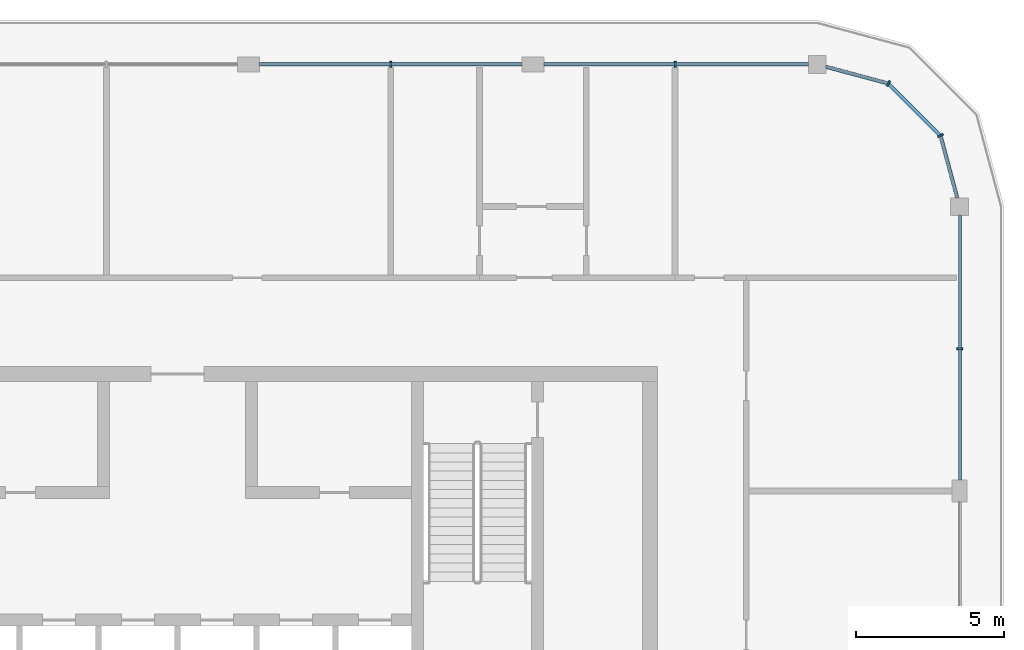
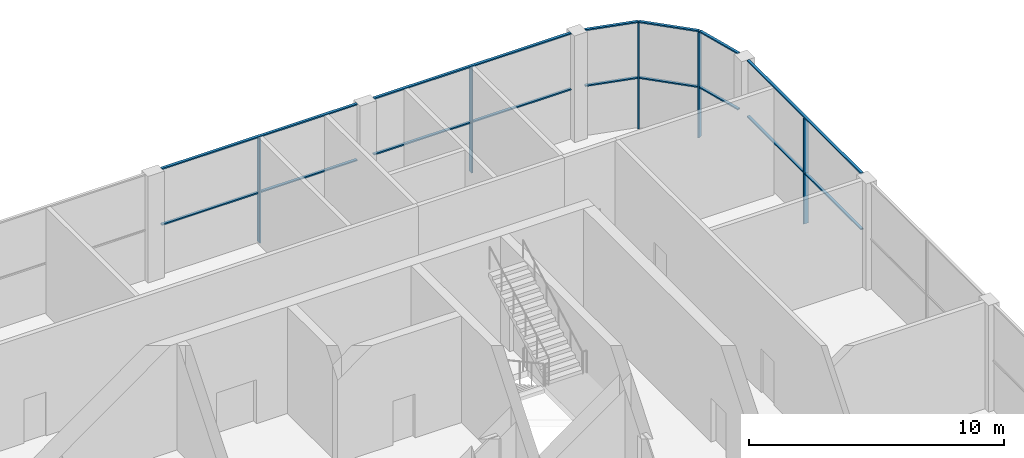
# One storey, part 6 of 15: 20 members, 4 elements without a shape of their own.
"""IFC4 building model written with IfcOpenShell, lengths in metres."""

from ifc_helpers import new_model, si_unit, direction, frame, origin, origin_2d, place, context, subcontext, project, spatial, rectangle, extrude, material, layer, layer_set, material_profile, profile_set, type_object, element, aggregate, save


model = new_model("IFC4")

# Units and contexts
model_context = context("Model", 3, precision=1e-05, world=origin(), true_north=direction((0.0, 1.0)))
body_context = subcontext(model_context, "Body", "Model", "MODEL_VIEW")
ifc_project = project(units=[si_unit("LENGTHUNIT", "METRE"), si_unit("AREAUNIT", "SQUARE_METRE"), si_unit("VOLUMEUNIT", "CUBIC_METRE"), si_unit("PLANEANGLEUNIT", "RADIAN"), si_unit("MASSUNIT", "GRAM", prefix="KILO")], contexts=[model_context])

# Site, building, storey
site_placement = place(None, origin())
site = spatial("IfcSite", under=ifc_project, at=site_placement, CompositionType="ELEMENT")
building_placement = place(site_placement, origin())
building = spatial("IfcBuilding", under=site, at=building_placement, Name="Madar Terraces", CompositionType="ELEMENT")
storey_placement = place(building_placement, frame((0.0, 0.0, 286.10009765625)))
storey = spatial("IfcBuildingStorey", under=building, at=storey_placement, Name="L75", CompositionType="ELEMENT", Elevation=286.10009765625)

# Curtain wall, member
ifc_material_1 = material(Name="Glass, clear low-iron, with black aluminium frame", Category="aluminium")
ifc_layer = layer(ifc_material_1, 0.199951171875)
ifc_layer_set = layer_set([ifc_layer], Name="Facade curtain wall, observation glazing")
curtain_wall_type = type_object("IfcCurtainWallType", Name="Facade curtain wall, observation glazing", PredefinedType="NOTDEFINED", material=ifc_layer_set)
curtain_wall_1_placement = place(storey_placement, origin())
curtain_wall_1 = element("IfcCurtainWall", 1, at=curtain_wall_1_placement, inside=storey, type_object=curtain_wall_type, Name="Outer skin curtain wall east bay 4", PredefinedType="NOTDEFINED")
ifc_material_2 = material(Name="Aluminium, black anodised", Category="aluminium")
ifc_material_profile_1 = material_profile(ifc_material_2, rectangle(XDim=0.199951171875, YDim=0.06005859375, at=origin_2d()), Name="Facade mullion 60x200")
ifc_profile_set_1 = profile_set([ifc_material_profile_1], Name="Aluminium, black anodised")
member_type_1 = type_object("IfcMemberType", Name="Facade mullion 60x200", PredefinedType="MULLION", material=ifc_profile_set_1)
member_1_placement = place(storey_placement, frame((57.60009765625, 38.39990234375, 0.0), z_axis=(0.0, 0.0, 1.0), x_axis=(-1.0, 0.0, 0.0)))
member_1 = element("IfcMember", 2, at=member_1_placement, type_object=member_type_1, Name="Mullion 1", PredefinedType="MULLION", context=body_context, shape_type="SweptSolid", body=[
    extrude(rectangle(XDim=0.199951171875, YDim=0.06005859375, at=origin_2d()), origin(), (0.0, 0.0, 1.0), 5.039794921875),
])

curtain_wall_2_placement = place(storey_placement, origin())
curtain_wall_2 = element("IfcCurtainWall", 3, at=curtain_wall_2_placement, inside=storey, type_object=curtain_wall_type, Name="Outer skin curtain wall north bay 1", PredefinedType="NOTDEFINED")
member_2_placement = place(storey_placement, frame((48.0, 48.0, 0.0), z_axis=(0.0, 0.0, 1.0), x_axis=(0.0, -1.0, 0.0)))
member_2 = element("IfcMember", 4, at=member_2_placement, type_object=member_type_1, Name="Mullion 1", PredefinedType="MULLION", context=body_context, shape_type="SweptSolid", body=[
    extrude(rectangle(XDim=0.199951171875, YDim=0.06005859375, at=origin_2d()), origin(), (0.0, 0.0, 1.0), 5.039794921875),
])

curtain_wall_3_placement = place(storey_placement, origin())
curtain_wall_3 = element("IfcCurtainWall", 5, at=curtain_wall_3_placement, inside=storey, type_object=curtain_wall_type, Name="Outer skin curtain wall north bay 2", PredefinedType="NOTDEFINED")
member_3_placement = place(storey_placement, frame((38.39990234375, 48.0, 0.0), z_axis=(0.0, 0.0, 1.0), x_axis=(0.0, -1.0, 0.0)))
member_3 = element("IfcMember", 6, at=member_3_placement, type_object=member_type_1, Name="Mullion 1", PredefinedType="MULLION", context=body_context, shape_type="SweptSolid", body=[
    extrude(rectangle(XDim=0.199951171875, YDim=0.06005859375, at=origin_2d()), origin(), (0.0, 0.0, 1.0), 5.039794921875),
])

# Curtain wall, members
curtain_wall_4_placement = place(storey_placement, origin())
curtain_wall_4 = element("IfcCurtainWall", 7, at=curtain_wall_4_placement, inside=storey, type_object=curtain_wall_type, Name="Outer skin curtain wall north-east corner", PredefinedType="NOTDEFINED")
member_4_placement = place(storey_placement, frame((56.95703125, 45.60009765625, 0.0), z_axis=(0.0, 0.0, 1.0), x_axis=(-0.866025409797, -0.499999989586, 0.0)))
member_4 = element("IfcMember", 8, at=member_4_placement, type_object=member_type_1, Name="Mullion 1", PredefinedType="MULLION", context=body_context, shape_type="SweptSolid", body=[
    extrude(rectangle(XDim=0.199951171875, YDim=0.06005859375, at=origin_2d()), origin(), (0.0, 0.0, 1.0), 5.039794921875),
])
member_5_placement = place(storey_placement, frame((55.199951171875, 47.35693359375, 0.0), z_axis=(0.0, 0.0, 1.0), x_axis=(-0.499999989586, -0.866025409797, 0.0)))
member_5 = element("IfcMember", 9, at=member_5_placement, type_object=member_type_1, Name="Mullion 2", PredefinedType="MULLION", context=body_context, shape_type="SweptSolid", body=[
    extrude(rectangle(XDim=0.199951171875, YDim=0.06005859375, at=origin_2d()), origin(), (0.0, 0.0, 1.0), 5.039794921875),
])

# Member
ifc_material_3 = material(Name="Aluminium, black anodised", Category="aluminium")
ifc_material_profile_2 = material_profile(ifc_material_3, rectangle(XDim=0.1201171875, YDim=0.06005859375, at=origin_2d()), Name="Facade transom 60x120")
ifc_profile_set_2 = profile_set([ifc_material_profile_2], Name="Aluminium, black anodised")
member_type_2 = type_object("IfcMemberType", Name="Facade transom 60x120", PredefinedType="USERDEFINED", material=ifc_profile_set_2)
member_6_placement = place(storey_placement, frame((57.60009765625, 33.97509765625, 5.06982421875), z_axis=(0.0, 1.0, 0.0), x_axis=(-1.0, 0.0, 0.0)))
member_6 = element("IfcMember", 10, at=member_6_placement, type_object=member_type_2, Name="Transom 1", ObjectType="TRANSOM", PredefinedType="USERDEFINED", context=body_context, shape_type="SweptSolid", body=[
    extrude(rectangle(XDim=0.1201171875, YDim=0.06005859375, at=origin_2d()), origin(), (0.0, 0.0, 1.0), 8.9248046875),
])

member_7_placement = place(storey_placement, frame((57.60009765625, 33.97509765625, 2.39990234375), z_axis=(0.0, 1.0, 0.0), x_axis=(-1.0, 0.0, 0.0)))
member_7 = element("IfcMember", 11, at=member_7_placement, type_object=member_type_2, Name="Transom 2", ObjectType="TRANSOM", PredefinedType="USERDEFINED", context=body_context, shape_type="SweptSolid", body=[
    extrude(rectangle(XDim=0.1201171875, YDim=0.06005859375, at=origin_2d()), origin(), (0.0, 0.0, 1.0), 4.39501953125),
])

member_8_placement = place(storey_placement, frame((57.60009765625, 38.429931640625, 2.39990234375), z_axis=(0.0, 1.0, 0.0), x_axis=(-1.0, 0.0, 0.0)))
member_8 = element("IfcMember", 12, at=member_8_placement, type_object=member_type_2, Name="Transom 3", ObjectType="TRANSOM", PredefinedType="USERDEFINED", context=body_context, shape_type="SweptSolid", body=[
    extrude(rectangle(XDim=0.1201171875, YDim=0.06005859375, at=origin_2d()), origin(), (0.0, 0.0, 1.0), 4.469970703125),
])

aggregate(curtain_wall_1, [member_1, member_6, member_7, member_8])

member_9_placement = place(storey_placement, frame((52.5, 48.0, 5.06982421875), z_axis=(-1.0, 0.0, 0.0), x_axis=(0.0, -1.0, 0.0)))
member_9 = element("IfcMember", 13, at=member_9_placement, type_object=member_type_2, Name="Transom 1", ObjectType="TRANSOM", PredefinedType="USERDEFINED", context=body_context, shape_type="SweptSolid", body=[
    extrude(rectangle(XDim=0.1201171875, YDim=0.06005859375, at=origin_2d()), origin(), (0.0, 0.0, 1.0), 8.925048828125),
])

member_10_placement = place(storey_placement, frame((52.5, 48.0, 2.39990234375), z_axis=(-1.0, 0.0, 0.0), x_axis=(0.0, -1.0, 0.0)))
member_10 = element("IfcMember", 14, at=member_10_placement, type_object=member_type_2, Name="Transom 2", ObjectType="TRANSOM", PredefinedType="USERDEFINED", context=body_context, shape_type="SweptSolid", body=[
    extrude(rectangle(XDim=0.1201171875, YDim=0.06005859375, at=origin_2d()), origin(), (0.0, 0.0, 1.0), 4.469970703125),
])

member_11_placement = place(storey_placement, frame((47.969970703125, 48.0, 2.39990234375), z_axis=(-1.0, 0.0, 0.0), x_axis=(0.0, -1.0, 0.0)))
member_11 = element("IfcMember", 15, at=member_11_placement, type_object=member_type_2, Name="Transom 3", ObjectType="TRANSOM", PredefinedType="USERDEFINED", context=body_context, shape_type="SweptSolid", body=[
    extrude(rectangle(XDim=0.1201171875, YDim=0.06005859375, at=origin_2d()), origin(), (0.0, 0.0, 1.0), 4.39501953125),
])

aggregate(curtain_wall_2, [member_2, member_9, member_10, member_11])

member_12_placement = place(storey_placement, frame((42.824951171875, 48.0, 5.06982421875), z_axis=(-1.0, 0.0, 0.0), x_axis=(0.0, -1.0, 0.0)))
member_12 = element("IfcMember", 16, at=member_12_placement, type_object=member_type_2, Name="Transom 1", ObjectType="TRANSOM", PredefinedType="USERDEFINED", context=body_context, shape_type="SweptSolid", body=[
    extrude(rectangle(XDim=0.1201171875, YDim=0.06005859375, at=origin_2d()), origin(), (0.0, 0.0, 1.0), 8.849853515625),
])

member_13_placement = place(storey_placement, frame((42.824951171875, 48.0, 2.39990234375), z_axis=(-1.0, 0.0, 0.0), x_axis=(0.0, -1.0, 0.0)))
member_13 = element("IfcMember", 17, at=member_13_placement, type_object=member_type_2, Name="Transom 2", ObjectType="TRANSOM", PredefinedType="USERDEFINED", context=body_context, shape_type="SweptSolid", body=[
    extrude(rectangle(XDim=0.1201171875, YDim=0.06005859375, at=origin_2d()), origin(), (0.0, 0.0, 1.0), 4.39501953125),
])

member_14_placement = place(storey_placement, frame((38.3701171875, 48.0, 2.39990234375), z_axis=(-1.0, 0.0, 0.0), x_axis=(0.0, -1.0, 0.0)))
member_14 = element("IfcMember", 18, at=member_14_placement, type_object=member_type_2, Name="Transom 3", ObjectType="TRANSOM", PredefinedType="USERDEFINED", context=body_context, shape_type="SweptSolid", body=[
    extrude(rectangle(XDim=0.1201171875, YDim=0.06005859375, at=origin_2d()), origin(), (0.0, 0.0, 1.0), 4.39501953125),
])

aggregate(curtain_wall_3, [member_3, member_12, member_13, member_14])

member_15_placement = place(storey_placement, frame((57.51953125, 43.5, 5.06982421875), z_axis=(-0.258817664066, 0.965926196336, 0.0), x_axis=(-0.965926196336, -0.258817664066, 0.0)))
member_15 = element("IfcMember", 19, at=member_15_placement, type_object=member_type_2, Name="Transom 1", ObjectType="TRANSOM", PredefinedType="USERDEFINED", context=body_context, shape_type="SweptSolid", body=[
    extrude(rectangle(XDim=0.1201171875, YDim=0.06005859375, at=origin_2d()), origin(), (0.0, 0.0, 1.0), 2.14404296875),
])

member_16_placement = place(storey_placement, frame((57.51953125, 43.5, 2.39990234375), z_axis=(-0.258817664066, 0.965926196336, 0.0), x_axis=(-0.965926196336, -0.258817664066, 0.0)))
member_16 = element("IfcMember", 20, at=member_16_placement, type_object=member_type_2, Name="Transom 2", ObjectType="TRANSOM", PredefinedType="USERDEFINED", context=body_context, shape_type="SweptSolid", body=[
    extrude(rectangle(XDim=0.1201171875, YDim=0.06005859375, at=origin_2d()), origin(), (0.0, 0.0, 1.0), 2.14404296875),
])

member_17_placement = place(storey_placement, frame((56.935791015625, 45.62109375, 5.06982421875), z_axis=(-0.707106781187, 0.707106781187, 0.0), x_axis=(-0.707106781187, -0.707106781187, 0.0)))
member_17 = element("IfcMember", 21, at=member_17_placement, type_object=member_type_2, Name="Transom 3", ObjectType="TRANSOM", PredefinedType="USERDEFINED", context=body_context, shape_type="SweptSolid", body=[
    extrude(rectangle(XDim=0.1201171875, YDim=0.06005859375, at=origin_2d()), origin(), (0.0, 0.0, 1.0), 2.4248046875),
])

member_18_placement = place(storey_placement, frame((56.935791015625, 45.62109375, 2.39990234375), z_axis=(-0.707106781187, 0.707106781187, 0.0), x_axis=(-0.707106781187, -0.707106781187, 0.0)))
member_18 = element("IfcMember", 22, at=member_18_placement, type_object=member_type_2, Name="Transom 4", ObjectType="TRANSOM", PredefinedType="USERDEFINED", context=body_context, shape_type="SweptSolid", body=[
    extrude(rectangle(XDim=0.1201171875, YDim=0.06005859375, at=origin_2d()), origin(), (0.0, 0.0, 1.0), 2.4248046875),
])

member_19_placement = place(storey_placement, frame((55.171142578125, 47.36474609375, 5.06982421875), z_axis=(-0.965926196336, 0.258817664066, 0.0), x_axis=(-0.258817664066, -0.965926196336, 0.0)))
member_19 = element("IfcMember", 23, at=member_19_placement, type_object=member_type_2, Name="Transom 5", ObjectType="TRANSOM", PredefinedType="USERDEFINED", context=body_context, shape_type="SweptSolid", body=[
    extrude(rectangle(XDim=0.1201171875, YDim=0.06005859375, at=origin_2d()), origin(), (0.0, 0.0, 1.0), 2.14404296875),
])

member_20_placement = place(storey_placement, frame((55.171142578125, 47.36474609375, 2.39990234375), z_axis=(-0.965926196336, 0.258817664066, 0.0), x_axis=(-0.258817664066, -0.965926196336, 0.0)))
member_20 = element("IfcMember", 24, at=member_20_placement, type_object=member_type_2, Name="Transom 6", ObjectType="TRANSOM", PredefinedType="USERDEFINED", context=body_context, shape_type="SweptSolid", body=[
    extrude(rectangle(XDim=0.1201171875, YDim=0.06005859375, at=origin_2d()), origin(), (0.0, 0.0, 1.0), 2.14404296875),
])

aggregate(curtain_wall_4, [member_4, member_15, member_16, member_5, member_17, member_18, member_19, member_20])

save(model, "model.ifc")
